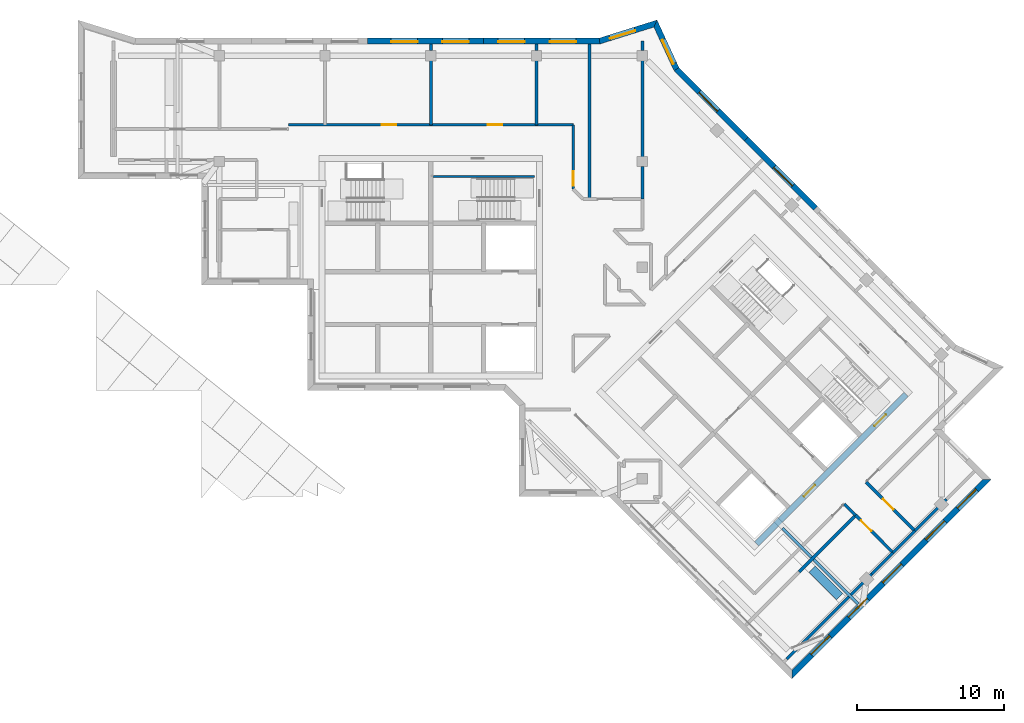
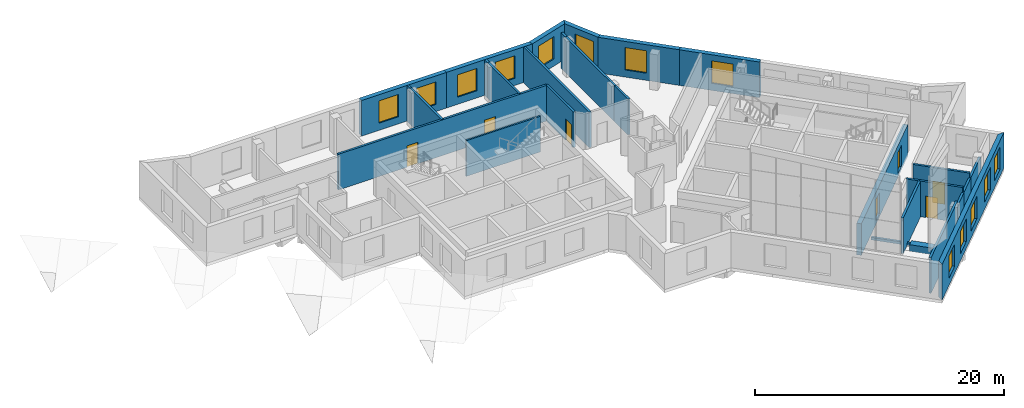
# One storey, part 9 of 13: 29 walls, 13 windows, 7 doors, 20 openings.
"""IFC4 building model written with IfcOpenShell, lengths in metres."""

from ifc_helpers import new_model, si_unit, direction, frame, frame_2d, origin, place, context, subcontext, project, spatial, polyline, rectangle, outline, extrude, material, layer, layer_set, type_object, element, fill, save


model = new_model("IFC4")

# Units and contexts
model_context = context("Model", 3, precision=1e-05, world=origin(), true_north=direction((0.0, 1.0)))
body_context = subcontext(model_context, "Body", "Model", "MODEL_VIEW")
ifc_project = project(units=[si_unit("LENGTHUNIT", "METRE"), si_unit("AREAUNIT", "SQUARE_METRE"), si_unit("VOLUMEUNIT", "CUBIC_METRE"), si_unit("PLANEANGLEUNIT", "RADIAN"), si_unit("MASSUNIT", "GRAM", prefix="KILO")], contexts=[model_context])

# Site, building, storey
site_placement = place(None, origin())
site = spatial("IfcSite", under=ifc_project, at=site_placement, CompositionType="ELEMENT")
building_placement = place(site_placement, origin())
building = spatial("IfcBuilding", under=site, at=building_placement, Name="Windrow Commons", CompositionType="ELEMENT")
storey_placement = place(building_placement, frame((0.0, 0.0, 294.4)))
storey = spatial("IfcBuildingStorey", under=building, at=storey_placement, Name="L80", CompositionType="ELEMENT", Elevation=294.4)

# Wall, openings, doors
ifc_material_1 = material(Name="Blockwork partition", Category="masonry")
ifc_layer_1 = layer(ifc_material_1, 0.2)
ifc_layer_set_1 = layer_set([ifc_layer_1], Name="IW-CORRIDOR-200")
wall_type_1 = type_object("IfcWallType", Name="IW-CORRIDOR-200", PredefinedType="PARTITIONING", material=ifc_layer_set_1)
wall_1_placement = place(storey_placement, frame((55.102, 67.3, 0.0), z_axis=(0.0, 0.0, 1.0), x_axis=(1.0, 0.0, 0.0)))
wall_1 = element("IfcWall", 1, at=wall_1_placement, inside=storey, type_object=wall_type_1, Name="W-L80-W001", PredefinedType="PARTITIONING", context=body_context, shape_type="SweptSolid", body=[
    extrude(rectangle(XDim=19.398, YDim=0.2, at=frame_2d((9.699, 0.0))), origin(), (0.0, 0.0, 1.0), 3.5),
])
opening_1_placement = place(wall_1_placement, frame((6.3605, 0.0, 0.0)))
opening_1 = element("IfcOpeningElement", 2, at=opening_1_placement, cuts=wall_1, Name="Opening D410F", PredefinedType="OPENING", context=body_context, shape_type="SweptSolid", body=[
    extrude(rectangle(XDim=1.0, YDim=2.1, at=frame_2d((0.5, 1.05))), frame((0.0, 0.11, 0.0), z_axis=(0.0, -1.0, 0.0), x_axis=(1.0, 0.0, 0.0)), (0.0, 0.0, 1.0), 0.22),
])
opening_2_placement = place(wall_1_placement, frame((13.5605, 0.0, 0.0)))
opening_2 = element("IfcOpeningElement", 3, at=opening_2_placement, cuts=wall_1, Name="Opening D410F", PredefinedType="OPENING", context=body_context, shape_type="SweptSolid", body=[
    extrude(rectangle(XDim=1.0, YDim=2.1, at=frame_2d((0.5, 1.05))), frame((0.0, 0.11, 0.0), z_axis=(0.0, -1.0, 0.0), x_axis=(1.0, 0.0, 0.0)), (0.0, 0.0, 1.0), 0.22),
])
ifc_material_2 = material(Name="Timber door leaf", Category="wood")
door_type_1 = type_object("IfcDoorType", Name="DT-SERVICE-1000", OperationType="SINGLE_SWING_LEFT", PredefinedType="DOOR", material=ifc_material_2)
door_1_placement = place(opening_1_placement, origin())
door_1 = element("IfcDoor", 4, at=door_1_placement, inside=storey, type_object=door_type_1, Name="D-L80-D006", OperationType="SINGLE_SWING_RIGHT", OverallHeight=2.1, OverallWidth=1.0, PredefinedType="DOOR", context=body_context, shape_type="SweptSolid", body=[
    extrude(rectangle(XDim=1.0, YDim=2.1, at=frame_2d((0.5, 1.05))), frame((0.0, 0.025, 0.0), z_axis=(0.0, -1.0, 0.0), x_axis=(1.0, 0.0, 0.0)), (0.0, 0.0, 1.0), 0.05),
])
fill(opening_1, door_1)
door_2_placement = place(opening_2_placement, origin())
door_2 = element("IfcDoor", 5, at=door_2_placement, inside=storey, type_object=door_type_1, Name="D-L80-D007", OperationType="SINGLE_SWING_RIGHT", OverallHeight=2.1, OverallWidth=1.0, PredefinedType="DOOR", context=body_context, shape_type="SweptSolid", body=[
    extrude(rectangle(XDim=1.0, YDim=2.1, at=frame_2d((0.5, 1.05))), frame((0.0, 0.025, 0.0), z_axis=(0.0, -1.0, 0.0), x_axis=(1.0, 0.0, 0.0)), (0.0, 0.0, 1.0), 0.05),
])
fill(opening_2, door_2)

# Wall, opening, door
wall_2_placement = place(storey_placement, frame((94.4345, 42.9705, 0.0), z_axis=(0.0, 0.0, 1.0), x_axis=(0.7071067812, -0.7071067812, 0.0)))
wall_2 = element("IfcWall", 6, at=wall_2_placement, inside=storey, type_object=wall_type_1, Name="W-L80-W015", PredefinedType="PARTITIONING", context=body_context, shape_type="SweptSolid", body=[
    extrude(rectangle(XDim=4.7008, YDim=0.2, at=frame_2d((2.3504, 0.0))), origin(), (0.0, 0.0, 1.0), 3.5),
])
opening_3_placement = place(wall_2_placement, frame((1.6256, 0.0, 0.0)))
opening_3 = element("IfcOpeningElement", 7, at=opening_3_placement, cuts=wall_2, Name="Opening D410F", PredefinedType="OPENING", context=body_context, shape_type="SweptSolid", body=[
    extrude(rectangle(XDim=1.0, YDim=2.1, at=frame_2d((0.5, 1.05))), frame((0.0, 0.11, 0.0), z_axis=(0.0, -1.0, 0.0), x_axis=(1.0, 0.0, 0.0)), (0.0, 0.0, 1.0), 0.22),
])
door_3_placement = place(opening_3_placement, origin())
door_3 = element("IfcDoor", 8, at=door_3_placement, inside=storey, type_object=door_type_1, Name="D-L80-D016", OperationType="SINGLE_SWING_RIGHT", OverallHeight=2.1, OverallWidth=1.0, PredefinedType="DOOR", context=body_context, shape_type="SweptSolid", body=[
    extrude(rectangle(XDim=1.0, YDim=2.1, at=frame_2d((0.5, 1.05))), frame((0.0, 0.025, 0.0), z_axis=(0.0, -1.0, 0.0), x_axis=(1.0, 0.0, 0.0)), (0.0, 0.0, 1.0), 0.05),
])
fill(opening_3, door_3)

wall_3_placement = place(storey_placement, frame((74.5, 62.912, 0.0), z_axis=(0.0, 0.0, 1.0), x_axis=(0.0, 1.0, 0.0)))
wall_3 = element("IfcWall", 9, at=wall_3_placement, inside=storey, type_object=wall_type_1, Name="W-L80-W019", PredefinedType="PARTITIONING", context=body_context, shape_type="SweptSolid", body=[
    extrude(rectangle(XDim=4.388, YDim=0.2, at=frame_2d((2.194, 0.0))), origin(), (0.0, 0.0, 1.0), 3.5),
])
opening_4_placement = place(wall_3_placement, frame((0.2318, 0.0, 0.0)))
opening_4 = element("IfcOpeningElement", 10, at=opening_4_placement, cuts=wall_3, Name="Opening D410F", PredefinedType="OPENING", context=body_context, shape_type="SweptSolid", body=[
    extrude(rectangle(XDim=1.0, YDim=2.1, at=frame_2d((0.5, 1.05))), frame((0.0, 0.11, 0.0), z_axis=(0.0, -1.0, 0.0), x_axis=(1.0, 0.0, 0.0)), (0.0, 0.0, 1.0), 0.22),
])
door_4_placement = place(opening_4_placement, origin())
door_4 = element("IfcDoor", 11, at=door_4_placement, inside=storey, type_object=door_type_1, Name="D-L80-D008", OperationType="SINGLE_SWING_RIGHT", OverallHeight=2.1, OverallWidth=1.0, PredefinedType="DOOR", context=body_context, shape_type="SweptSolid", body=[
    extrude(rectangle(XDim=1.0, YDim=2.1, at=frame_2d((0.5, 1.05))), frame((0.0, 0.025, 0.0), z_axis=(0.0, -1.0, 0.0), x_axis=(1.0, 0.0, 0.0)), (0.0, 0.0, 1.0), 0.05),
])
fill(opening_4, door_4)

wall_4_placement = place(storey_placement, frame((93.7323, 40.7103, 0.0), z_axis=(0.0, 0.0, 1.0), x_axis=(0.7068288851, -0.7073845681, 0.0)))
wall_4 = element("IfcWall", 12, at=wall_4_placement, inside=storey, type_object=wall_type_1, Name="W-L80-W026", PredefinedType="PARTITIONING", context=body_context, shape_type="SweptSolid", body=[
    extrude(rectangle(XDim=3.5992, YDim=0.2, at=frame_2d((1.7996, 0.0))), origin(), (0.0, 0.0, 1.0), 3.5),
])
opening_5_placement = place(wall_4_placement, frame((0.524, 0.0, 0.0)))
opening_5 = element("IfcOpeningElement", 13, at=opening_5_placement, cuts=wall_4, Name="Opening D410F", PredefinedType="OPENING", context=body_context, shape_type="SweptSolid", body=[
    extrude(rectangle(XDim=1.0, YDim=2.1, at=frame_2d((0.5, 1.05))), frame((0.0, 0.11, 0.0), z_axis=(0.0, -1.0, 0.0), x_axis=(1.0, 0.0, 0.0)), (0.0, 0.0, 1.0), 0.22),
])
door_5_placement = place(opening_5_placement, origin())
door_5 = element("IfcDoor", 14, at=door_5_placement, inside=storey, type_object=door_type_1, Name="D-L80-D015", OperationType="SINGLE_SWING_LEFT", OverallHeight=2.1, OverallWidth=1.0, PredefinedType="DOOR", context=body_context, shape_type="SweptSolid", body=[
    extrude(rectangle(XDim=1.0, YDim=2.1, at=frame_2d((0.5, 1.05))), frame((0.0, 0.025, 0.0), z_axis=(0.0, -1.0, 0.0), x_axis=(1.0, 0.0, 0.0)), (0.0, 0.0, 1.0), 0.05),
])
fill(opening_5, door_5)

# Walls
wall_5_placement = place(storey_placement, frame((96.275, 38.165, 0.0), z_axis=(0.0, 0.0, 1.0), x_axis=(0.7071067812, 0.7071067812, 0.0)))
element("IfcWall", 15, at=wall_5_placement, inside=storey, type_object=wall_type_1, Name="W-L80-W049", PredefinedType="PARTITIONING", context=body_context, shape_type="SweptSolid", body=[
    extrude(rectangle(XDim=2.1015, YDim=0.2, at=frame_2d((1.0508, 0.0))), origin(), (0.0, 0.0, 1.0), 3.0),
])
wall_6_placement = place(storey_placement, frame((92.9506, 41.4846, 0.0), z_axis=(0.0, 0.0, 1.0), x_axis=(0.7071067812, -0.7071067812, 0.0)))
element("IfcWall", 16, at=wall_6_placement, inside=storey, type_object=wall_type_1, Name="W-L80-W063", PredefinedType="PARTITIONING", context=body_context, shape_type="SweptSolid", body=[
    extrude(rectangle(XDim=1.1003, YDim=0.2, at=frame_2d((0.5502, 0.0))), origin(), (0.0, 0.0, 1.0), 3.5),
])
ifc_material_3 = material(Name="Blockwork partition", Category="masonry")
ifc_layer_2 = layer(ifc_material_3, 0.2)
ifc_layer_set_2 = layer_set([ifc_layer_2], Name="IW-PARTY-200")
wall_type_2 = type_object("IfcWallType", Name="IW-PARTY-200", PredefinedType="PARTITIONING", material=ifc_layer_set_2)
wall_7_placement = place(storey_placement, frame((79.2, 64.45, 0.0), z_axis=(0.0, 0.0, 1.0), x_axis=(0.0, 1.0, 0.0)))
element("IfcWall", 17, at=wall_7_placement, inside=storey, type_object=wall_type_2, Name="W-L80-W010", PredefinedType="PARTITIONING", context=body_context, shape_type="SweptSolid", body=[
    extrude(rectangle(XDim=7.9, YDim=0.2, at=frame_2d((3.95, 0.0))), origin(), (0.0, 0.0, 1.0), 3.5),
])
wall_8_placement = place(storey_placement, frame((89.031, 30.921, 0.0), z_axis=(0.0, 0.0, 1.0), x_axis=(0.7071067812, 0.7071067812, 0.0)))
element("IfcWall", 18, at=wall_8_placement, inside=storey, type_object=wall_type_2, Name="W-L80-W011", PredefinedType="PARTITIONING", context=body_context, shape_type="SweptSolid", body=[
    extrude(rectangle(XDim=8.1911, YDim=0.2, at=frame_2d((4.0956, 0.0))), origin(), (0.0, 0.0, 1.0), 3.5),
])
wall_9_placement = place(storey_placement, frame((89.8764, 36.8576, 0.0), z_axis=(0.0, 0.0, 1.0), x_axis=(0.7071067812, 0.7071067812, 0.0)))
element("IfcWall", 19, at=wall_9_placement, inside=storey, type_object=wall_type_2, Name="W-L80-W013", PredefinedType="PARTITIONING", context=body_context, shape_type="SweptSolid", body=[
    extrude(rectangle(XDim=5.4504, YDim=0.2, at=frame_2d((2.7252, 0.0))), origin(), (0.0, 0.0, 1.0), 3.5),
])
for number, where, z_axis, x_axis, name in (
    (20, (64.8, 67.3, 0.0), (0.0, 0.0, 1.0), (0.0, 1.0, 0.0), "W-L80-W021"),
    (21, (72.0, 67.3, 0.0), (0.0, 0.0, 1.0), (0.0, 1.0, 0.0), "W-L80-W022"),
):
    element("IfcWall", number, at=place(storey_placement, frame(where, z_axis=z_axis, x_axis=x_axis)), inside=storey, type_object=wall_type_2, Name=name, PredefinedType="PARTITIONING", context=body_context, shape_type="SweptSolid", body=[
        extrude(rectangle(XDim=5.05, YDim=0.2, at=frame_2d((2.525, 0.0))), origin(), (0.0, 0.0, 1.0), 3.5),
    ])
wall_10_placement = place(storey_placement, frame((79.2, 62.25, 0.0), z_axis=(0.0, 0.0, 1.0), x_axis=(0.0, 1.0, 0.0)))
element("IfcWall", 22, at=wall_10_placement, inside=storey, type_object=wall_type_2, Name="W-L80-W047", PredefinedType="PARTITIONING", context=body_context, shape_type="SweptSolid", body=[
    extrude(rectangle(XDim=2.2, YDim=0.2, at=frame_2d((1.1, 0.0))), origin(), (0.0, 0.0, 1.0), 3.5),
])
wall_11_placement = place(storey_placement, frame((97.7632, 39.6488, 0.0), z_axis=(0.0, 0.0, 1.0), x_axis=(0.7066468317, 0.7075664316, 0.0)))
element("IfcWall", 23, at=wall_11_placement, inside=storey, type_object=wall_type_2, Name="W-L80-W052", PredefinedType="PARTITIONING", context=body_context, shape_type="SweptSolid", body=[
    extrude(rectangle(XDim=3.0448, YDim=0.2, at=frame_2d((1.5224, 0.0))), origin(), (0.0, 0.0, 1.0), 3.0),
])
wall_12_placement = place(storey_placement, frame((94.823, 36.713, 0.0), z_axis=(0.0, 0.0, 1.0), x_axis=(0.7071067812, 0.7071067812, 0.0)))
element("IfcWall", 24, at=wall_12_placement, inside=storey, type_object=wall_type_2, Name="W-L80-W053", PredefinedType="PARTITIONING", context=body_context, shape_type="SweptSolid", body=[
    extrude(rectangle(XDim=2.0534, YDim=0.2, at=frame_2d((1.0267, 0.0))), origin(), (0.0, 0.0, 1.0), 3.0),
])
wall_13_placement = place(storey_placement, frame((79.2, 72.35, 0.0), z_axis=(0.0, 0.0, 1.0), x_axis=(0.0, 1.0, 0.0)))
element("IfcWall", 25, at=wall_13_placement, inside=storey, type_object=wall_type_2, Name="W-L80-W073", PredefinedType="PARTITIONING", context=body_context, shape_type="SweptSolid", body=[
    extrude(rectangle(XDim=0.65, YDim=0.2, at=frame_2d((0.325, 0.0))), origin(), (0.0, 0.0, 1.0), 3.5),
])
wall_14_placement = place(storey_placement, frame((75.6, 62.25, 0.0), z_axis=(0.0, 0.0, 1.0), x_axis=(0.0, 1.0, 0.0)))
element("IfcWall", 26, at=wall_14_placement, inside=storey, type_object=wall_type_2, Name="W-L80-W004", PredefinedType="PARTITIONING", context=body_context, shape_type="SweptSolid", body=[
    extrude(outline(polyline([(0.0, -0.1), (10.55, -0.1), (10.55, 0.1), (0.0, 0.1), (0.0, -0.1)])), origin(), (0.0, 0.0, 1.0), 3.5),
])
for number, where, z_axis, x_axis, name in (
    (27, (64.8, 72.35, 0.0), (0.0, 0.0, 1.0), (0.0, 1.0, 0.0), "W-L80-W071"),
    (28, (72.0, 72.35, 0.0), (0.0, 0.0, 1.0), (0.0, 1.0, 0.0), "W-L80-W072"),
):
    element("IfcWall", number, at=place(storey_placement, frame(where, z_axis=z_axis, x_axis=x_axis)), inside=storey, type_object=wall_type_2, Name=name, PredefinedType="PARTITIONING", context=body_context, shape_type="SweptSolid", body=[
        extrude(outline(polyline([(0.0, -0.1), (0.45, -0.1), (0.45, 0.1), (0.0, 0.1), (0.0, -0.1)])), origin(), (0.0, 0.0, 1.0), 3.5),
    ])
ifc_material_4 = material(Name="Concrete C30/37 planter wall", Category="concrete")
ifc_layer_3 = layer(ifc_material_4, 0.6)
ifc_layer_set_3 = layer_set([ifc_layer_3], Name="Planter 600x450")
wall_type_3 = type_object("IfcWallType", Name="Planter 600x450", PredefinedType="SOLIDWALL", material=ifc_layer_set_3)
wall_15_placement = place(storey_placement, frame((92.6235, 35.1713, 0.0), z_axis=(0.0, 0.0, 1.0), x_axis=(-0.7071067812, 0.7071067812, 0.0)))
element("IfcWall", 29, at=wall_15_placement, inside=storey, type_object=wall_type_3, Name="PLANTER TR-L80-5.1", PredefinedType="SOLIDWALL", context=body_context, shape_type="SweptSolid", body=[
    extrude(outline(polyline([(0.0, -0.3), (2.6348, -0.3), (2.6348, 0.3), (0.0, 0.3), (0.0, -0.3)])), origin(), (0.0, 0.0, 1.0), 0.65),
])

# Wall, openings, doors
ifc_material_5 = material(Name="Concrete C40/50", Category="concrete")
ifc_layer_4 = layer(ifc_material_5, 0.4)
ifc_layer_set_4 = layer_set([ifc_layer_4], Name="RC CORE WALL 400 C40/50")
wall_type_4 = type_object("IfcWallType", Name="RC CORE WALL 400 C40/50", PredefinedType="SHEAR", material=ifc_layer_set_4)
wall_16_placement = place(storey_placement, frame((86.9782, 38.766, -0.3), z_axis=(0.0, 0.0, 1.0), x_axis=(0.7071067812, 0.7071067812, 0.0)))
wall_16 = element("IfcWall", 30, at=wall_16_placement, inside=storey, type_object=wall_type_4, Name="Core B wall outer-E", PredefinedType="SHEAR", context=body_context, shape_type="SweptSolid", body=[
    extrude(outline(polyline([(0.0, 0.0), (14.3999, 0.0), (14.3999, 3.1), (0.0, 3.1), (0.0, 0.0)])), frame((0.0, 0.2, 0.0), z_axis=(0.0, -1.0, 0.0), x_axis=(1.0, 0.0, 0.0)), (0.0, 0.0, 1.0), 0.4),
])
opening_6_placement = place(wall_16_placement, frame((4.55, 0.0, 0.3)))
opening_6 = element("IfcOpeningElement", 31, at=opening_6_placement, cuts=wall_16, Name="Opening D6", PredefinedType="OPENING", context=body_context, shape_type="SweptSolid", body=[
    extrude(rectangle(XDim=1.1, YDim=2.1, at=frame_2d((0.55, 1.05))), frame((0.0, 0.21, 0.0), z_axis=(0.0, -1.0, 0.0), x_axis=(1.0, 0.0, 0.0)), (0.0, 0.0, 1.0), 0.42),
])
opening_7_placement = place(wall_16_placement, frame((11.35, 0.0, 0.3)))
opening_7 = element("IfcOpeningElement", 32, at=opening_7_placement, cuts=wall_16, Name="Opening D7", PredefinedType="OPENING", context=body_context, shape_type="SweptSolid", body=[
    extrude(rectangle(XDim=1.1, YDim=2.1, at=frame_2d((0.55, 1.05))), frame((0.0, 0.21, 0.0), z_axis=(0.0, -1.0, 0.0), x_axis=(1.0, 0.0, 0.0)), (0.0, 0.0, 1.0), 0.42),
])
ifc_material_6 = material(Name="Steel fire door leaf", Category="steel")
door_type_2 = type_object("IfcDoorType", Name="Core lobby door 1100", OperationType="SINGLE_SWING_LEFT", PredefinedType="DOOR", material=ifc_material_6)
door_6_placement = place(opening_6_placement, origin())
door_6 = element("IfcDoor", 33, at=door_6_placement, inside=storey, type_object=door_type_2, Name="Lift lobby door", OperationType="DOUBLE_DOOR_SINGLE_SWING", OverallHeight=2.1, OverallWidth=1.1, PredefinedType="DOOR", context=body_context, shape_type="SweptSolid", body=[
    extrude(rectangle(XDim=1.1, YDim=2.1, at=frame_2d((0.55, 1.05))), frame((0.0, 0.025, 0.0), z_axis=(0.0, -1.0, 0.0), x_axis=(1.0, 0.0, 0.0)), (0.0, 0.0, 1.0), 0.05),
])
fill(opening_6, door_6)
ifc_material_7 = material(Name="Steel fire door leaf", Category="steel")
door_type_3 = type_object("IfcDoorType", Name="Stair door 1100", OperationType="SINGLE_SWING_LEFT", PredefinedType="DOOR", material=ifc_material_7)
door_7_placement = place(opening_7_placement, origin())
door_7 = element("IfcDoor", 34, at=door_7_placement, inside=storey, type_object=door_type_3, Name="Stair door", OperationType="SINGLE_SWING_RIGHT", OverallHeight=2.1, OverallWidth=1.1, PredefinedType="DOOR", context=body_context, shape_type="SweptSolid", body=[
    extrude(rectangle(XDim=1.1, YDim=2.1, at=frame_2d((0.55, 1.05))), frame((0.0, 0.025, 0.0), z_axis=(0.0, -1.0, 0.0), x_axis=(1.0, 0.0, 0.0)), (0.0, 0.0, 1.0), 0.05),
])
fill(opening_7, door_7)

# Walls
ifc_material_8 = material(Name="Blockwork partition", Category="masonry")
ifc_layer_5 = layer(ifc_material_8, 0.15)
ifc_layer_set_5 = layer_set([ifc_layer_5], Name="Riser partition 150")
wall_type_5 = type_object("IfcWallType", Name="Riser partition 150", PredefinedType="PARTITIONING", material=ifc_layer_set_5)
wall_17_placement = place(storey_placement, frame((64.95, 63.78, 0.0), z_axis=(0.0, 0.0, 1.0), x_axis=(1.0, 0.0, 0.0)))
element("IfcWall", 35, at=wall_17_placement, inside=storey, type_object=wall_type_5, Name="W-core-strip-A-L80", PredefinedType="PARTITIONING", context=body_context, shape_type="SweptSolid", body=[
    extrude(outline(polyline([(0.0, 0.0), (6.9, 0.0), (6.9, 3.5), (0.0, 3.5), (0.0, 0.0)])), frame((0.0, 0.075, 0.0), z_axis=(0.0, -1.0, 0.0), x_axis=(1.0, 0.0, 0.0)), (0.0, 0.0, 1.0), 0.15),
])
ifc_material_9 = material(Name="Brick masonry, red clay brick", Category="masonry")
ifc_layer_6 = layer(ifc_material_9, 0.2)
ifc_layer_set_6 = layer_set([ifc_layer_6], Name="Terrace edge parapet 200")
wall_type_6 = type_object("IfcWallType", Name="Terrace edge parapet 200", PredefinedType="PARAPET", material=ifc_layer_set_6)
wall_18_placement = place(storey_placement, frame((93.9078, 34.6648, 0.0), z_axis=(0.0, 0.0, 1.0), x_axis=(-0.7071067812, 0.7071067812, 0.0)))
element("IfcWall", 36, at=wall_18_placement, inside=storey, type_object=wall_type_6, Name="Terrace parapet TR-L80-5.1.1", PredefinedType="PARAPET", context=body_context, shape_type="SweptSolid", body=[
    extrude(outline(polyline([(0.0, -0.1), (7.3, -0.1), (7.3, 0.1), (0.0, 0.1), (0.0, -0.1)])), origin(), (0.0, 0.0, 1.0), 0.25),
])

# Wall, openings, windows
ifc_material_10 = material(Name="Standing seam zinc cladding on insulated masonry backing", Category="masonry")
ifc_layer_7 = layer(ifc_material_10, 0.4)
ifc_layer_set_7 = layer_set([ifc_layer_7], Name="Zinc clad crown wall 400")
wall_type_7 = type_object("IfcWallType", Name="Zinc clad crown wall 400", PredefinedType="SOLIDWALL", material=ifc_layer_set_7)
wall_19_placement = place(storey_placement, frame((89.3823, 29.8564, 0.0), z_axis=(0.0, 0.0, 1.0), x_axis=(0.7071094407, 0.7071041216, 0.0)))
wall_19 = element("IfcWall", 37, at=wall_19_placement, inside=storey, type_object=wall_type_7, Name="Brick facade wall L80 1", PredefinedType="SOLIDWALL", context=body_context, shape_type="SweptSolid", body=[
    extrude(outline(polyline([(-0.2, -0.2), (19.0, -0.2), (18.6, 0.2), (0.2, 0.2), (-0.2, -0.2)])), origin(), (0.0, 0.0, 1.0), 3.5),
])
opening_8_placement = place(wall_19_placement, frame((1.9, 0.0, 0.7)))
opening_8 = element("IfcOpeningElement", 38, at=opening_8_placement, cuts=wall_19, Name="Opening W6", PredefinedType="OPENING", context=body_context, shape_type="SweptSolid", body=[
    extrude(rectangle(XDim=1.8, YDim=2.2, at=frame_2d((0.9, 1.1))), frame((0.0, 0.21, 0.0), z_axis=(0.0, -1.0, 0.0), x_axis=(1.0, 0.0, 0.0)), (0.0, 0.0, 1.0), 0.42),
])
opening_9_placement = place(wall_19_placement, frame((5.5, 0.0, 0.7)))
opening_9 = element("IfcOpeningElement", 39, at=opening_9_placement, cuts=wall_19, Name="Opening W6", PredefinedType="OPENING", context=body_context, shape_type="SweptSolid", body=[
    extrude(rectangle(XDim=1.8, YDim=2.2, at=frame_2d((0.9, 1.1))), frame((0.0, 0.21, 0.0), z_axis=(0.0, -1.0, 0.0), x_axis=(1.0, 0.0, 0.0)), (0.0, 0.0, 1.0), 0.42),
])
opening_10_placement = place(wall_19_placement, frame((8.8, 0.0, 0.7)))
opening_10 = element("IfcOpeningElement", 40, at=opening_10_placement, cuts=wall_19, Name="Opening W6", PredefinedType="OPENING", context=body_context, shape_type="SweptSolid", body=[
    extrude(rectangle(XDim=1.8, YDim=2.2, at=frame_2d((0.9, 1.1))), frame((0.0, 0.21, 0.0), z_axis=(0.0, -1.0, 0.0), x_axis=(1.0, 0.0, 0.0)), (0.0, 0.0, 1.0), 0.42),
])
opening_11_placement = place(wall_19_placement, frame((12.95, 0.0, 0.7)))
opening_11 = element("IfcOpeningElement", 41, at=opening_11_placement, cuts=wall_19, Name="Opening W6", PredefinedType="OPENING", context=body_context, shape_type="SweptSolid", body=[
    extrude(rectangle(XDim=1.8, YDim=2.2, at=frame_2d((0.9, 1.1))), frame((0.0, 0.21, 0.0), z_axis=(0.0, -1.0, 0.0), x_axis=(1.0, 0.0, 0.0)), (0.0, 0.0, 1.0), 0.42),
])
opening_12_placement = place(wall_19_placement, frame((16.0, 0.0, 0.7)))
opening_12 = element("IfcOpeningElement", 42, at=opening_12_placement, cuts=wall_19, Name="Opening W6", PredefinedType="OPENING", context=body_context, shape_type="SweptSolid", body=[
    extrude(rectangle(XDim=1.8, YDim=2.2, at=frame_2d((0.9, 1.1))), frame((0.0, 0.21, 0.0), z_axis=(0.0, -1.0, 0.0), x_axis=(1.0, 0.0, 0.0)), (0.0, 0.0, 1.0), 0.42),
])
ifc_material_11 = material(Name="Clear float glass in anodised aluminium frame", Category="aluminium")
window_type = type_object("IfcWindowType", Name="Window W6 crown 1800x2200", PartitioningType="SINGLE_PANEL", PredefinedType="WINDOW", material=ifc_material_11)
window_1_placement = place(opening_8_placement, origin())
window_1 = element("IfcWindow", 43, at=window_1_placement, inside=storey, type_object=window_type, Name="Window L80 1.1", OverallHeight=2.2, OverallWidth=1.8, PartitioningType="SINGLE_PANEL", PredefinedType="WINDOW", context=body_context, shape_type="SweptSolid", body=[
    extrude(rectangle(XDim=1.8, YDim=2.2, at=frame_2d((0.9, 1.1))), frame((0.0, 0.08, 0.0), z_axis=(0.0, -1.0, 0.0), x_axis=(1.0, 0.0, 0.0)), (0.0, 0.0, 1.0), 0.06),
])
fill(opening_8, window_1)
window_2_placement = place(opening_9_placement, origin())
window_2 = element("IfcWindow", 44, at=window_2_placement, inside=storey, type_object=window_type, Name="Window L80 1.2", OverallHeight=2.2, OverallWidth=1.8, PartitioningType="SINGLE_PANEL", PredefinedType="WINDOW", context=body_context, shape_type="SweptSolid", body=[
    extrude(rectangle(XDim=1.8, YDim=2.2, at=frame_2d((0.9, 1.1))), frame((0.0, 0.08, 0.0), z_axis=(0.0, -1.0, 0.0), x_axis=(1.0, 0.0, 0.0)), (0.0, 0.0, 1.0), 0.06),
])
fill(opening_9, window_2)
window_3_placement = place(opening_10_placement, origin())
window_3 = element("IfcWindow", 45, at=window_3_placement, inside=storey, type_object=window_type, Name="Window L80 1.3", OverallHeight=2.2, OverallWidth=1.8, PartitioningType="SINGLE_PANEL", PredefinedType="WINDOW", context=body_context, shape_type="SweptSolid", body=[
    extrude(rectangle(XDim=1.8, YDim=2.2, at=frame_2d((0.9, 1.1))), frame((0.0, 0.08, 0.0), z_axis=(0.0, -1.0, 0.0), x_axis=(1.0, 0.0, 0.0)), (0.0, 0.0, 1.0), 0.06),
])
fill(opening_10, window_3)
window_4_placement = place(opening_11_placement, origin())
window_4 = element("IfcWindow", 46, at=window_4_placement, inside=storey, type_object=window_type, Name="Window L80 1.4", OverallHeight=2.2, OverallWidth=1.8, PartitioningType="SINGLE_PANEL", PredefinedType="WINDOW", context=body_context, shape_type="SweptSolid", body=[
    extrude(rectangle(XDim=1.8, YDim=2.2, at=frame_2d((0.9, 1.1))), frame((0.0, 0.08, 0.0), z_axis=(0.0, -1.0, 0.0), x_axis=(1.0, 0.0, 0.0)), (0.0, 0.0, 1.0), 0.06),
])
fill(opening_11, window_4)
window_5_placement = place(opening_12_placement, origin())
window_5 = element("IfcWindow", 47, at=window_5_placement, inside=storey, type_object=window_type, Name="Window L80 1.5", OverallHeight=2.2, OverallWidth=1.8, PartitioningType="SINGLE_PANEL", PredefinedType="WINDOW", context=body_context, shape_type="SweptSolid", body=[
    extrude(rectangle(XDim=1.8, YDim=2.2, at=frame_2d((0.9, 1.1))), frame((0.0, 0.08, 0.0), z_axis=(0.0, -1.0, 0.0), x_axis=(1.0, 0.0, 0.0)), (0.0, 0.0, 1.0), 0.06),
])
fill(opening_12, window_5)

# Wall, opening, window
wall_20_placement = place(storey_placement, frame((91.0049, 61.6094, 0.0), z_axis=(0.0, 0.0, 1.0), x_axis=(-0.7071142638, 0.7070992985, 0.0)))
wall_20 = element("IfcWall", 48, at=wall_20_placement, inside=storey, type_object=wall_type_7, Name="Brick facade wall L80 7", PredefinedType="SOLIDWALL", context=body_context, shape_type="SweptSolid", body=[
    extrude(outline(polyline([(0.0, -0.2), (6.6821, -0.2), (6.6821, 0.2), (0.0, 0.2), (0.0, -0.2)])), origin(), (0.0, 0.0, 1.0), 3.5),
])
opening_13_placement = place(wall_20_placement, frame((2.1946, 0.0, 0.7)))
opening_13 = element("IfcOpeningElement", 49, at=opening_13_placement, cuts=wall_20, Name="Opening W6", PredefinedType="OPENING", context=body_context, shape_type="SweptSolid", body=[
    extrude(rectangle(XDim=1.8, YDim=2.2, at=frame_2d((0.9, 1.1))), frame((0.0, 0.21, 0.0), z_axis=(0.0, -1.0, 0.0), x_axis=(1.0, 0.0, 0.0)), (0.0, 0.0, 1.0), 0.42),
])
window_6_placement = place(opening_13_placement, origin())
window_6 = element("IfcWindow", 50, at=window_6_placement, inside=storey, type_object=window_type, Name="Window L80 7.1", OverallHeight=2.2, OverallWidth=1.8, PartitioningType="SINGLE_PANEL", PredefinedType="WINDOW", context=body_context, shape_type="SweptSolid", body=[
    extrude(rectangle(XDim=1.8, YDim=2.2, at=frame_2d((0.9, 1.1))), frame((0.0, 0.08, 0.0), z_axis=(0.0, -1.0, 0.0), x_axis=(1.0, 0.0, 0.0)), (0.0, 0.0, 1.0), 0.06),
])
fill(opening_13, window_6)

wall_21_placement = place(storey_placement, frame((86.2799, 66.3343, 0.0), z_axis=(0.0, 0.0, 1.0), x_axis=(-0.7071067812, 0.7071067812, 0.0)))
wall_21 = element("IfcWall", 51, at=wall_21_placement, inside=storey, type_object=wall_type_7, Name="Brick facade wall L80 8", PredefinedType="SOLIDWALL", context=body_context, shape_type="SweptSolid", body=[
    extrude(outline(polyline([(0.0, -0.2), (6.6821, -0.2), (6.7534, 0.2), (0.0, 0.2), (0.0, -0.2)])), origin(), (0.0, 0.0, 1.0), 3.5),
])
opening_14_placement = place(wall_21_placement, frame((2.7125, 0.0, 0.7)))
opening_14 = element("IfcOpeningElement", 52, at=opening_14_placement, cuts=wall_21, Name="Opening W6", PredefinedType="OPENING", context=body_context, shape_type="SweptSolid", body=[
    extrude(rectangle(XDim=1.8, YDim=2.2, at=frame_2d((0.9, 1.1))), frame((0.0, 0.21, 0.0), z_axis=(0.0, -1.0, 0.0), x_axis=(1.0, 0.0, 0.0)), (0.0, 0.0, 1.0), 0.42),
])
window_7_placement = place(opening_14_placement, origin())
window_7 = element("IfcWindow", 53, at=window_7_placement, inside=storey, type_object=window_type, Name="Window L80 8.1", OverallHeight=2.2, OverallWidth=1.8, PartitioningType="SINGLE_PANEL", PredefinedType="WINDOW", context=body_context, shape_type="SweptSolid", body=[
    extrude(rectangle(XDim=1.8, YDim=2.2, at=frame_2d((0.9, 1.1))), frame((0.0, 0.08, 0.0), z_axis=(0.0, -1.0, 0.0), x_axis=(1.0, 0.0, 0.0)), (0.0, 0.0, 1.0), 0.06),
])
fill(opening_14, window_7)

wall_22_placement = place(storey_placement, frame((81.5297, 71.0845, 0.0), z_axis=(0.0, 0.0, 1.0), x_axis=(-0.4192825023, 0.9078558163, 0.0)))
wall_22 = element("IfcWall", 54, at=wall_22_placement, inside=storey, type_object=wall_type_7, Name="Brick facade wall L80 9", PredefinedType="SOLIDWALL", context=body_context, shape_type="SweptSolid", body=[
    extrude(outline(polyline([(0.0356, -0.2), (3.5959, -0.2), (3.2447, 0.2), (-0.0356, 0.2), (0.0356, -0.2)])), origin(), (0.0, 0.0, 1.0), 3.5),
])
opening_15_placement = place(wall_22_placement, frame((0.4226, 0.0, 0.7)))
opening_15 = element("IfcOpeningElement", 55, at=opening_15_placement, cuts=wall_22, Name="Opening W6", PredefinedType="OPENING", context=body_context, shape_type="SweptSolid", body=[
    extrude(rectangle(XDim=1.8, YDim=2.2, at=frame_2d((0.9, 1.1))), frame((0.0, 0.21, 0.0), z_axis=(0.0, -1.0, 0.0), x_axis=(1.0, 0.0, 0.0)), (0.0, 0.0, 1.0), 0.42),
])
window_8_placement = place(opening_15_placement, origin())
window_8 = element("IfcWindow", 56, at=window_8_placement, inside=storey, type_object=window_type, Name="Window L80 9.1", OverallHeight=2.2, OverallWidth=1.8, PartitioningType="SINGLE_PANEL", PredefinedType="WINDOW", context=body_context, shape_type="SweptSolid", body=[
    extrude(rectangle(XDim=1.8, YDim=2.2, at=frame_2d((0.9, 1.1))), frame((0.0, 0.08, 0.0), z_axis=(0.0, -1.0, 0.0), x_axis=(1.0, 0.0, 0.0)), (0.0, 0.0, 1.0), 0.06),
])
fill(opening_15, window_8)

wall_23_placement = place(storey_placement, frame((80.0956, 74.1897, 0.0), z_axis=(0.0, 0.0, 1.0), x_axis=(-0.9544366751, -0.2984135272, 0.0)))
wall_23 = element("IfcWall", 57, at=wall_23_placement, inside=storey, type_object=wall_type_7, Name="Brick facade wall L80 10", PredefinedType="SOLIDWALL", context=body_context, shape_type="SweptSolid", body=[
    extrude(outline(polyline([(-0.1756, -0.2), (3.9563, -0.2), (4.0174, 0.2), (0.1756, 0.2), (-0.1756, -0.2)])), origin(), (0.0, 0.0, 1.0), 3.5),
])
opening_16_placement = place(wall_23_placement, frame((1.4626, 0.0, 0.7)))
opening_16 = element("IfcOpeningElement", 58, at=opening_16_placement, cuts=wall_23, Name="Opening W6", PredefinedType="OPENING", context=body_context, shape_type="SweptSolid", body=[
    extrude(rectangle(XDim=1.8, YDim=2.2, at=frame_2d((0.9, 1.1))), frame((0.0, 0.21, 0.0), z_axis=(0.0, -1.0, 0.0), x_axis=(1.0, 0.0, 0.0)), (0.0, 0.0, 1.0), 0.42),
])
window_9_placement = place(opening_16_placement, origin())
window_9 = element("IfcWindow", 59, at=window_9_placement, inside=storey, type_object=window_type, Name="Window L80 10.1", OverallHeight=2.2, OverallWidth=1.8, PartitioningType="SINGLE_PANEL", PredefinedType="WINDOW", context=body_context, shape_type="SweptSolid", body=[
    extrude(rectangle(XDim=1.8, YDim=2.2, at=frame_2d((0.9, 1.1))), frame((0.0, 0.08, 0.0), z_axis=(0.0, -1.0, 0.0), x_axis=(1.0, 0.0, 0.0)), (0.0, 0.0, 1.0), 0.06),
])
fill(opening_16, window_9)

# Wall, openings, windows
wall_24_placement = place(storey_placement, frame((76.2905, 73.0, 0.0), z_axis=(0.0, 0.0, 1.0), x_axis=(-1.0, 0.0, 0.0)))
wall_24 = element("IfcWall", 60, at=wall_24_placement, inside=storey, type_object=wall_type_7, Name="Brick facade wall L80 11", PredefinedType="SOLIDWALL", context=body_context, shape_type="SweptSolid", body=[
    extrude(outline(polyline([(0.0305, -0.2), (7.9179, -0.2), (7.9179, 0.2), (-0.0305, 0.2), (0.0305, -0.2)])), origin(), (0.0, 0.0, 1.0), 3.5),
])
opening_17_placement = place(wall_24_placement, frame((1.5905, 0.0, 0.7)))
opening_17 = element("IfcOpeningElement", 61, at=opening_17_placement, cuts=wall_24, Name="Opening W6", PredefinedType="OPENING", context=body_context, shape_type="SweptSolid", body=[
    extrude(rectangle(XDim=1.8, YDim=2.2, at=frame_2d((0.9, 1.1))), frame((0.0, 0.21, 0.0), z_axis=(0.0, -1.0, 0.0), x_axis=(1.0, 0.0, 0.0)), (0.0, 0.0, 1.0), 0.42),
])
opening_18_placement = place(wall_24_placement, frame((5.1042, 0.0, 0.7)))
opening_18 = element("IfcOpeningElement", 62, at=opening_18_placement, cuts=wall_24, Name="Opening W6", PredefinedType="OPENING", context=body_context, shape_type="SweptSolid", body=[
    extrude(rectangle(XDim=1.8, YDim=2.2, at=frame_2d((0.9, 1.1))), frame((0.0, 0.21, 0.0), z_axis=(0.0, -1.0, 0.0), x_axis=(1.0, 0.0, 0.0)), (0.0, 0.0, 1.0), 0.42),
])
window_10_placement = place(opening_17_placement, origin())
window_10 = element("IfcWindow", 63, at=window_10_placement, inside=storey, type_object=window_type, Name="Window L80 11.1", OverallHeight=2.2, OverallWidth=1.8, PartitioningType="SINGLE_PANEL", PredefinedType="WINDOW", context=body_context, shape_type="SweptSolid", body=[
    extrude(rectangle(XDim=1.8, YDim=2.2, at=frame_2d((0.9, 1.1))), frame((0.0, 0.08, 0.0), z_axis=(0.0, -1.0, 0.0), x_axis=(1.0, 0.0, 0.0)), (0.0, 0.0, 1.0), 0.06),
])
fill(opening_17, window_10)
window_11_placement = place(opening_18_placement, origin())
window_11 = element("IfcWindow", 64, at=window_11_placement, inside=storey, type_object=window_type, Name="Window L80 11.2", OverallHeight=2.2, OverallWidth=1.8, PartitioningType="SINGLE_PANEL", PredefinedType="WINDOW", context=body_context, shape_type="SweptSolid", body=[
    extrude(rectangle(XDim=1.8, YDim=2.2, at=frame_2d((0.9, 1.1))), frame((0.0, 0.08, 0.0), z_axis=(0.0, -1.0, 0.0), x_axis=(1.0, 0.0, 0.0)), (0.0, 0.0, 1.0), 0.06),
])
fill(opening_18, window_11)

wall_25_placement = place(storey_placement, frame((68.3726, 73.0, 0.0), z_axis=(0.0, 0.0, 1.0), x_axis=(-1.0, 0.0, 0.0)))
wall_25 = element("IfcWall", 65, at=wall_25_placement, inside=storey, type_object=wall_type_7, Name="Brick facade wall L80 12", PredefinedType="SOLIDWALL", context=body_context, shape_type="SweptSolid", body=[
    extrude(outline(polyline([(0.0, -0.2), (7.8873, -0.2), (7.8873, 0.2), (0.0, 0.2), (0.0, -0.2)])), origin(), (0.0, 0.0, 1.0), 3.5),
])
opening_19_placement = place(wall_25_placement, frame((0.9863, 0.0, 0.7)))
opening_19 = element("IfcOpeningElement", 66, at=opening_19_placement, cuts=wall_25, Name="Opening W6", PredefinedType="OPENING", context=body_context, shape_type="SweptSolid", body=[
    extrude(rectangle(XDim=1.8, YDim=2.2, at=frame_2d((0.9, 1.1))), frame((0.0, 0.21, 0.0), z_axis=(0.0, -1.0, 0.0), x_axis=(1.0, 0.0, 0.0)), (0.0, 0.0, 1.0), 0.42),
])
opening_20_placement = place(wall_25_placement, frame((4.4726, 0.0, 0.7)))
opening_20 = element("IfcOpeningElement", 67, at=opening_20_placement, cuts=wall_25, Name="Opening W6", PredefinedType="OPENING", context=body_context, shape_type="SweptSolid", body=[
    extrude(rectangle(XDim=1.8, YDim=2.2, at=frame_2d((0.9, 1.1))), frame((0.0, 0.21, 0.0), z_axis=(0.0, -1.0, 0.0), x_axis=(1.0, 0.0, 0.0)), (0.0, 0.0, 1.0), 0.42),
])
window_12_placement = place(opening_19_placement, origin())
window_12 = element("IfcWindow", 68, at=window_12_placement, inside=storey, type_object=window_type, Name="Window L80 12.1", OverallHeight=2.2, OverallWidth=1.8, PartitioningType="SINGLE_PANEL", PredefinedType="WINDOW", context=body_context, shape_type="SweptSolid", body=[
    extrude(rectangle(XDim=1.8, YDim=2.2, at=frame_2d((0.9, 1.1))), frame((0.0, 0.08, 0.0), z_axis=(0.0, -1.0, 0.0), x_axis=(1.0, 0.0, 0.0)), (0.0, 0.0, 1.0), 0.06),
])
fill(opening_19, window_12)
window_13_placement = place(opening_20_placement, origin())
window_13 = element("IfcWindow", 69, at=window_13_placement, inside=storey, type_object=window_type, Name="Window L80 12.2", OverallHeight=2.2, OverallWidth=1.8, PartitioningType="SINGLE_PANEL", PredefinedType="WINDOW", context=body_context, shape_type="SweptSolid", body=[
    extrude(rectangle(XDim=1.8, YDim=2.2, at=frame_2d((0.9, 1.1))), frame((0.0, 0.08, 0.0), z_axis=(0.0, -1.0, 0.0), x_axis=(1.0, 0.0, 0.0)), (0.0, 0.0, 1.0), 0.06),
])
fill(opening_20, window_13)

save(model, "model.ifc")
